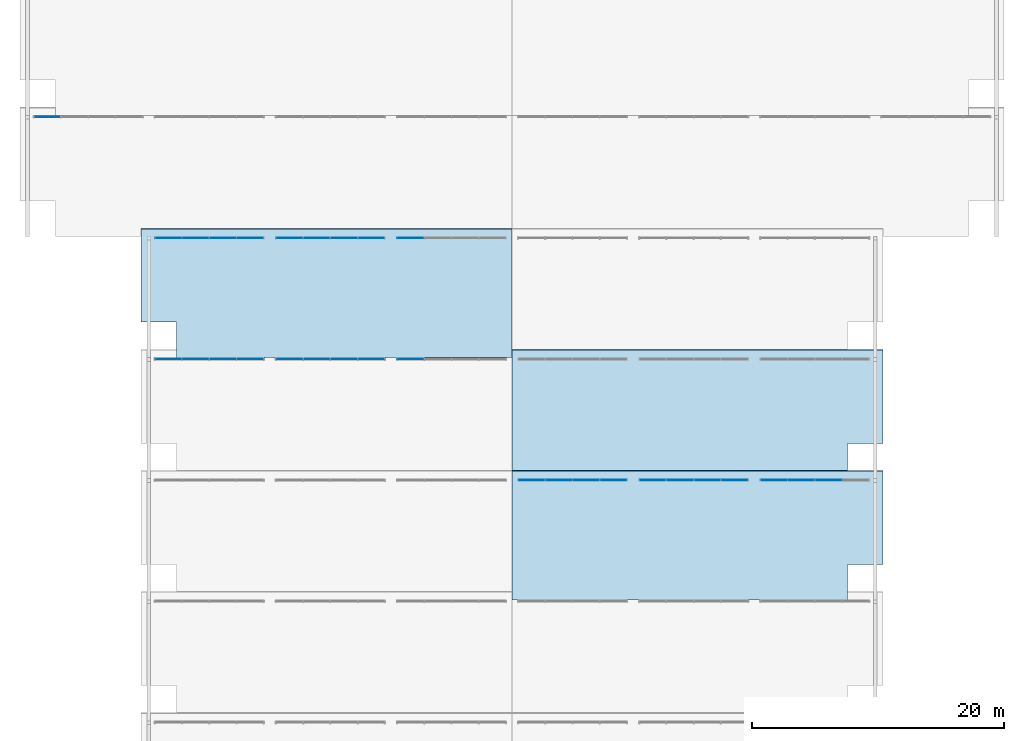
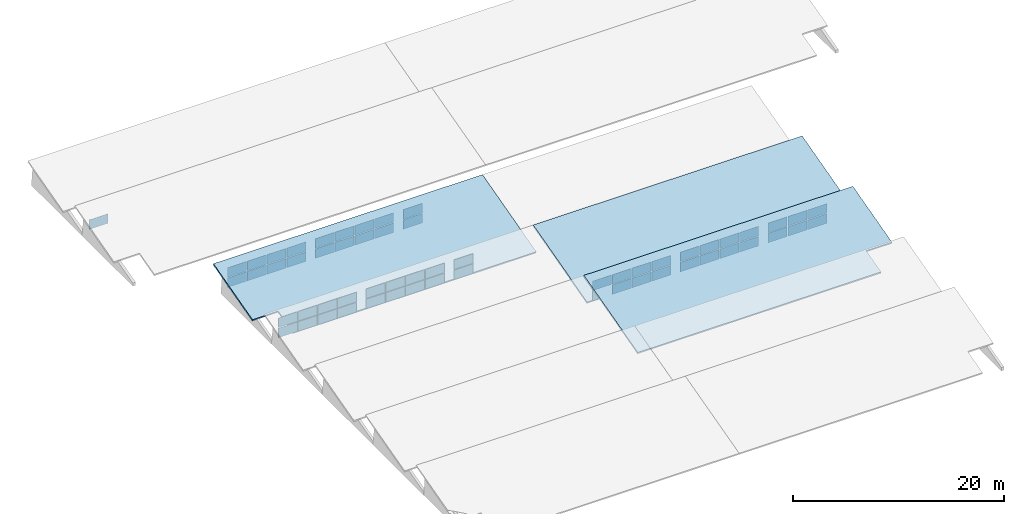
# One storey, part 12 of 18: 59 plates, 3 slabs, 10 elements without a shape of their own.
"""IFC4 building model written with IfcOpenShell, lengths in metres."""

from ifc_helpers import new_model, si_unit, direction, frame, origin, origin_2d, place, context, subcontext, project, spatial, polyline, rectangle, outline, extrude, material, layer, layer_set, type_object, element, aggregate, save


model = new_model("IFC4")

# Units and contexts
model_context = context("Model", 3, precision=1e-05, world=origin(), true_north=direction((0.0, 1.0)))
body_context = subcontext(model_context, "Body", "Model", "MODEL_VIEW")
ifc_project = project(units=[si_unit("LENGTHUNIT", "METRE"), si_unit("AREAUNIT", "SQUARE_METRE"), si_unit("VOLUMEUNIT", "CUBIC_METRE"), si_unit("PLANEANGLEUNIT", "RADIAN"), si_unit("MASSUNIT", "GRAM", prefix="KILO")], contexts=[model_context])

# Site, building, storey
site_placement = place(None, origin())
site = spatial("IfcSite", under=ifc_project, at=site_placement, CompositionType="ELEMENT")
building_placement = place(site_placement, origin())
building = spatial("IfcBuilding", under=site, at=building_placement, Name="Bempovik Park Faculty of Sciences", CompositionType="ELEMENT")
storey_placement = place(building_placement, frame((0.0, 0.0, 50.10009765625)))
storey = spatial("IfcBuildingStorey", under=building, at=storey_placement, Name="Roof", CompositionType="ELEMENT", Elevation=50.10009765625)

# Curtain wall, plates
ifc_material_1 = material(Name="Tempered laminated low-E glass", Category="glass")
ifc_layer_1 = layer(ifc_material_1, 0.159912109375)
ifc_layer_set_1 = layer_set([ifc_layer_1], Name="Tempered laminated low-E glass")
curtain_wall_type_1 = type_object("IfcCurtainWallType", Name="CW-53 Curtain 8000x2550", PredefinedType="USERDEFINED", material=ifc_layer_set_1)
curtain_wall_1_placement = place(storey_placement, origin())
curtain_wall_1 = element("IfcCurtainWall", 1, at=curtain_wall_1_placement, inside=storey, type_object=curtain_wall_type_1, Name="V1 Sawtooth North-Light Clerestory Bay 3 (88.8-98.4)", ObjectType="NORTH LIGHT CLERESTORY", PredefinedType="USERDEFINED")
ifc_layer_2 = layer(ifc_material_1, 0.031982421875)
ifc_layer_set_2 = layer_set([ifc_layer_2], Name="Tempered laminated low-E glass")
plate_type = type_object("IfcPlateType", Name="CP-23 Curtain Panel 32mm", PredefinedType="CURTAIN_PANEL", material=ifc_layer_set_2)
plate_1_placement = place(storey_placement, frame((90.360107421875, 48.47998046875, -30.16015625), z_axis=(0.0, 0.0, 1.0), x_axis=(1.0, 0.0, 0.0)))
plate_1 = element("IfcPlate", 2, at=plate_1_placement, type_object=plate_type, Name="CW-NL-V1-B3-888 Panel 0-0", PredefinedType="CURTAIN_PANEL", context=body_context, shape_type="SweptSolid", body=[
    extrude(rectangle(XDim=2.080078125, YDim=0.035888671875, at=origin_2d()), origin(), (0.0, 0.0, 1.0), 1.09619140625),
])
plate_2_placement = place(storey_placement, frame((90.360107421875, 48.47998046875, -28.98388671875), z_axis=(0.0, 0.0, 1.0), x_axis=(1.0, 0.0, 0.0)))
plate_2 = element("IfcPlate", 3, at=plate_2_placement, type_object=plate_type, Name="CW-NL-V1-B3-888 Panel 0-1", PredefinedType="CURTAIN_PANEL", context=body_context, shape_type="SweptSolid", body=[
    extrude(rectangle(XDim=2.080078125, YDim=0.035888671875, at=origin_2d()), origin(), (0.0, 0.0, 1.0), 1.09619140625),
])
plate_3_placement = place(storey_placement, frame((92.52001953125, 48.47998046875, -30.16015625), z_axis=(0.0, 0.0, 1.0), x_axis=(1.0, 0.0, 0.0)))
plate_3 = element("IfcPlate", 4, at=plate_3_placement, type_object=plate_type, Name="CW-NL-V1-B3-888 Panel 1-0", PredefinedType="CURTAIN_PANEL", context=body_context, shape_type="SweptSolid", body=[
    extrude(rectangle(XDim=2.080078125, YDim=0.035888671875, at=origin_2d()), origin(), (0.0, 0.0, 1.0), 1.09619140625),
])
plate_4_placement = place(storey_placement, frame((92.52001953125, 48.47998046875, -28.98388671875), z_axis=(0.0, 0.0, 1.0), x_axis=(1.0, 0.0, 0.0)))
plate_4 = element("IfcPlate", 5, at=plate_4_placement, type_object=plate_type, Name="CW-NL-V1-B3-888 Panel 1-1", PredefinedType="CURTAIN_PANEL", context=body_context, shape_type="SweptSolid", body=[
    extrude(rectangle(XDim=2.080078125, YDim=0.035888671875, at=origin_2d()), origin(), (0.0, 0.0, 1.0), 1.09619140625),
])
plate_5_placement = place(storey_placement, frame((94.679931640625, 48.47998046875, -30.16015625), z_axis=(0.0, 0.0, 1.0), x_axis=(1.0, 0.0, 0.0)))
plate_5 = element("IfcPlate", 6, at=plate_5_placement, type_object=plate_type, Name="CW-NL-V1-B3-888 Panel 2-0", PredefinedType="CURTAIN_PANEL", context=body_context, shape_type="SweptSolid", body=[
    extrude(rectangle(XDim=2.080078125, YDim=0.035888671875, at=origin_2d()), origin(), (0.0, 0.0, 1.0), 1.09619140625),
])
plate_6_placement = place(storey_placement, frame((94.679931640625, 48.47998046875, -28.98388671875), z_axis=(0.0, 0.0, 1.0), x_axis=(1.0, 0.0, 0.0)))
plate_6 = element("IfcPlate", 7, at=plate_6_placement, type_object=plate_type, Name="CW-NL-V1-B3-888 Panel 2-1", PredefinedType="CURTAIN_PANEL", context=body_context, shape_type="SweptSolid", body=[
    extrude(rectangle(XDim=2.080078125, YDim=0.035888671875, at=origin_2d()), origin(), (0.0, 0.0, 1.0), 1.09619140625),
])
plate_7_placement = place(storey_placement, frame((96.840087890625, 48.47998046875, -30.16015625), z_axis=(0.0, 0.0, 1.0), x_axis=(1.0, 0.0, 0.0)))
plate_7 = element("IfcPlate", 8, at=plate_7_placement, type_object=plate_type, Name="CW-NL-V1-B3-888 Panel 3-0", PredefinedType="CURTAIN_PANEL", context=body_context, shape_type="SweptSolid", body=[
    extrude(rectangle(XDim=2.080078125, YDim=0.035888671875, at=origin_2d()), origin(), (0.0, 0.0, 1.0), 1.09619140625),
])
plate_8_placement = place(storey_placement, frame((96.840087890625, 48.47998046875, -28.98388671875), z_axis=(0.0, 0.0, 1.0), x_axis=(1.0, 0.0, 0.0)))
plate_8 = element("IfcPlate", 9, at=plate_8_placement, type_object=plate_type, Name="CW-NL-V1-B3-888 Panel 3-1", PredefinedType="CURTAIN_PANEL", context=body_context, shape_type="SweptSolid", body=[
    extrude(rectangle(XDim=2.080078125, YDim=0.035888671875, at=origin_2d()), origin(), (0.0, 0.0, 1.0), 1.09619140625),
])
aggregate(curtain_wall_1, [plate_1, plate_2, plate_3, plate_4, plate_5, plate_6, plate_7, plate_8])

curtain_wall_2_placement = place(storey_placement, origin())
curtain_wall_2 = element("IfcCurtainWall", 10, at=curtain_wall_2_placement, inside=storey, type_object=curtain_wall_type_1, Name="V1 Sawtooth North-Light Clerestory Bay 3 (98.4-108.0)", ObjectType="NORTH LIGHT CLERESTORY", PredefinedType="USERDEFINED")
plate_9_placement = place(storey_placement, frame((99.9599609375, 48.47998046875, -30.16015625), z_axis=(0.0, 0.0, 1.0), x_axis=(1.0, 0.0, 0.0)))
plate_9 = element("IfcPlate", 11, at=plate_9_placement, type_object=plate_type, Name="CW-NL-V1-B3-984 Panel 0-0", PredefinedType="CURTAIN_PANEL", context=body_context, shape_type="SweptSolid", body=[
    extrude(rectangle(XDim=2.080078125, YDim=0.035888671875, at=origin_2d()), origin(), (0.0, 0.0, 1.0), 1.09619140625),
])
plate_10_placement = place(storey_placement, frame((99.9599609375, 48.47998046875, -28.98388671875), z_axis=(0.0, 0.0, 1.0), x_axis=(1.0, 0.0, 0.0)))
plate_10 = element("IfcPlate", 12, at=plate_10_placement, type_object=plate_type, Name="CW-NL-V1-B3-984 Panel 0-1", PredefinedType="CURTAIN_PANEL", context=body_context, shape_type="SweptSolid", body=[
    extrude(rectangle(XDim=2.080078125, YDim=0.035888671875, at=origin_2d()), origin(), (0.0, 0.0, 1.0), 1.09619140625),
])
plate_11_placement = place(storey_placement, frame((102.1201171875, 48.47998046875, -30.16015625), z_axis=(0.0, 0.0, 1.0), x_axis=(1.0, 0.0, 0.0)))
plate_11 = element("IfcPlate", 13, at=plate_11_placement, type_object=plate_type, Name="CW-NL-V1-B3-984 Panel 1-0", PredefinedType="CURTAIN_PANEL", context=body_context, shape_type="SweptSolid", body=[
    extrude(rectangle(XDim=2.080078125, YDim=0.035888671875, at=origin_2d()), origin(), (0.0, 0.0, 1.0), 1.09619140625),
])
plate_12_placement = place(storey_placement, frame((102.1201171875, 48.47998046875, -28.98388671875), z_axis=(0.0, 0.0, 1.0), x_axis=(1.0, 0.0, 0.0)))
plate_12 = element("IfcPlate", 14, at=plate_12_placement, type_object=plate_type, Name="CW-NL-V1-B3-984 Panel 1-1", PredefinedType="CURTAIN_PANEL", context=body_context, shape_type="SweptSolid", body=[
    extrude(rectangle(XDim=2.080078125, YDim=0.035888671875, at=origin_2d()), origin(), (0.0, 0.0, 1.0), 1.09619140625),
])
plate_13_placement = place(storey_placement, frame((104.280029296875, 48.47998046875, -30.16015625), z_axis=(0.0, 0.0, 1.0), x_axis=(1.0, 0.0, 0.0)))
plate_13 = element("IfcPlate", 15, at=plate_13_placement, type_object=plate_type, Name="CW-NL-V1-B3-984 Panel 2-0", PredefinedType="CURTAIN_PANEL", context=body_context, shape_type="SweptSolid", body=[
    extrude(rectangle(XDim=2.080078125, YDim=0.035888671875, at=origin_2d()), origin(), (0.0, 0.0, 1.0), 1.09619140625),
])
plate_14_placement = place(storey_placement, frame((104.280029296875, 48.47998046875, -28.98388671875), z_axis=(0.0, 0.0, 1.0), x_axis=(1.0, 0.0, 0.0)))
plate_14 = element("IfcPlate", 16, at=plate_14_placement, type_object=plate_type, Name="CW-NL-V1-B3-984 Panel 2-1", PredefinedType="CURTAIN_PANEL", context=body_context, shape_type="SweptSolid", body=[
    extrude(rectangle(XDim=2.080078125, YDim=0.035888671875, at=origin_2d()), origin(), (0.0, 0.0, 1.0), 1.09619140625),
])
plate_15_placement = place(storey_placement, frame((106.43994140625, 48.47998046875, -30.16015625), z_axis=(0.0, 0.0, 1.0), x_axis=(1.0, 0.0, 0.0)))
plate_15 = element("IfcPlate", 17, at=plate_15_placement, type_object=plate_type, Name="CW-NL-V1-B3-984 Panel 3-0", PredefinedType="CURTAIN_PANEL", context=body_context, shape_type="SweptSolid", body=[
    extrude(rectangle(XDim=2.080078125, YDim=0.035888671875, at=origin_2d()), origin(), (0.0, 0.0, 1.0), 1.09619140625),
])
plate_16_placement = place(storey_placement, frame((106.43994140625, 48.47998046875, -28.98388671875), z_axis=(0.0, 0.0, 1.0), x_axis=(1.0, 0.0, 0.0)))
plate_16 = element("IfcPlate", 18, at=plate_16_placement, type_object=plate_type, Name="CW-NL-V1-B3-984 Panel 3-1", PredefinedType="CURTAIN_PANEL", context=body_context, shape_type="SweptSolid", body=[
    extrude(rectangle(XDim=2.080078125, YDim=0.035888671875, at=origin_2d()), origin(), (0.0, 0.0, 1.0), 1.09619140625),
])
aggregate(curtain_wall_2, [plate_9, plate_10, plate_11, plate_12, plate_13, plate_14, plate_15, plate_16])

ifc_layer_3 = layer(ifc_material_1, 0.159912109375)
ifc_layer_set_3 = layer_set([ifc_layer_3], Name="Tempered laminated low-E glass")
curtain_wall_type_2 = type_object("IfcCurtainWallType", Name="CW-17 Curtain 7200x2550", PredefinedType="USERDEFINED", material=ifc_layer_set_3)
curtain_wall_3_placement = place(storey_placement, origin())
curtain_wall_3 = element("IfcCurtainWall", 19, at=curtain_wall_3_placement, inside=storey, type_object=curtain_wall_type_2, Name="V1 Sawtooth North-Light Clerestory Bay 3 (108.0-117.6)", ObjectType="NORTH LIGHT CLERESTORY", PredefinedType="USERDEFINED")
plate_17_placement = place(storey_placement, frame((109.56005859375, 48.47998046875, -30.16015625), z_axis=(0.0, 0.0, 1.0), x_axis=(1.0, 0.0, 0.0)))
plate_17 = element("IfcPlate", 20, at=plate_17_placement, type_object=plate_type, Name="CW-NL-V1-B3-1080 Panel 0-0", PredefinedType="CURTAIN_PANEL", context=body_context, shape_type="SweptSolid", body=[
    extrude(rectangle(XDim=2.080078125, YDim=0.035888671875, at=origin_2d()), origin(), (0.0, 0.0, 1.0), 1.09619140625),
])
plate_18_placement = place(storey_placement, frame((109.56005859375, 48.47998046875, -28.98388671875), z_axis=(0.0, 0.0, 1.0), x_axis=(1.0, 0.0, 0.0)))
plate_18 = element("IfcPlate", 21, at=plate_18_placement, type_object=plate_type, Name="CW-NL-V1-B3-1080 Panel 0-1", PredefinedType="CURTAIN_PANEL", context=body_context, shape_type="SweptSolid", body=[
    extrude(rectangle(XDim=2.080078125, YDim=0.035888671875, at=origin_2d()), origin(), (0.0, 0.0, 1.0), 1.09619140625),
])
plate_19_placement = place(storey_placement, frame((111.719970703125, 48.47998046875, -30.16015625), z_axis=(0.0, 0.0, 1.0), x_axis=(1.0, 0.0, 0.0)))
plate_19 = element("IfcPlate", 22, at=plate_19_placement, type_object=plate_type, Name="CW-NL-V1-B3-1080 Panel 1-0", PredefinedType="CURTAIN_PANEL", context=body_context, shape_type="SweptSolid", body=[
    extrude(rectangle(XDim=2.080078125, YDim=0.035888671875, at=origin_2d()), origin(), (0.0, 0.0, 1.0), 1.09619140625),
])
plate_20_placement = place(storey_placement, frame((111.719970703125, 48.47998046875, -28.98388671875), z_axis=(0.0, 0.0, 1.0), x_axis=(1.0, 0.0, 0.0)))
plate_20 = element("IfcPlate", 23, at=plate_20_placement, type_object=plate_type, Name="CW-NL-V1-B3-1080 Panel 1-1", PredefinedType="CURTAIN_PANEL", context=body_context, shape_type="SweptSolid", body=[
    extrude(rectangle(XDim=2.080078125, YDim=0.035888671875, at=origin_2d()), origin(), (0.0, 0.0, 1.0), 1.09619140625),
])
plate_21_placement = place(storey_placement, frame((113.8798828125, 48.47998046875, -30.16015625), z_axis=(0.0, 0.0, 1.0), x_axis=(1.0, 0.0, 0.0)))
plate_21 = element("IfcPlate", 24, at=plate_21_placement, type_object=plate_type, Name="CW-NL-V1-B3-1080 Panel 2-0", PredefinedType="CURTAIN_PANEL", context=body_context, shape_type="SweptSolid", body=[
    extrude(rectangle(XDim=2.080078125, YDim=0.035888671875, at=origin_2d()), origin(), (0.0, 0.0, 1.0), 1.09619140625),
])
plate_22_placement = place(storey_placement, frame((113.8798828125, 48.47998046875, -28.98388671875), z_axis=(0.0, 0.0, 1.0), x_axis=(1.0, 0.0, 0.0)))
plate_22 = element("IfcPlate", 25, at=plate_22_placement, type_object=plate_type, Name="CW-NL-V1-B3-1080 Panel 2-1", PredefinedType="CURTAIN_PANEL", context=body_context, shape_type="SweptSolid", body=[
    extrude(rectangle(XDim=2.080078125, YDim=0.035888671875, at=origin_2d()), origin(), (0.0, 0.0, 1.0), 1.09619140625),
])
aggregate(curtain_wall_3, [plate_17, plate_18, plate_19, plate_20, plate_21, plate_22])

curtain_wall_4_placement = place(storey_placement, origin())
curtain_wall_4 = element("IfcCurtainWall", 26, at=curtain_wall_4_placement, inside=storey, type_object=curtain_wall_type_2, Name="V1 Sawtooth North-Light Clerestory Bay 4 (60.0-69.6)", ObjectType="NORTH LIGHT CLERESTORY", PredefinedType="USERDEFINED")
plate_23_placement = place(storey_placement, frame((61.56005859375, 58.080078125, -30.16015625), z_axis=(0.0, 0.0, 1.0), x_axis=(1.0, 0.0, 0.0)))
plate_23 = element("IfcPlate", 27, at=plate_23_placement, type_object=plate_type, Name="CW-NL-V1-B4-600 Panel 0-0", PredefinedType="CURTAIN_PANEL", context=body_context, shape_type="SweptSolid", body=[
    extrude(rectangle(XDim=2.080078125, YDim=0.035888671875, at=origin_2d()), origin(), (0.0, 0.0, 1.0), 1.09619140625),
])
plate_24_placement = place(storey_placement, frame((61.56005859375, 58.080078125, -28.98388671875), z_axis=(0.0, 0.0, 1.0), x_axis=(1.0, 0.0, 0.0)))
plate_24 = element("IfcPlate", 28, at=plate_24_placement, type_object=plate_type, Name="CW-NL-V1-B4-600 Panel 0-1", PredefinedType="CURTAIN_PANEL", context=body_context, shape_type="SweptSolid", body=[
    extrude(rectangle(XDim=2.080078125, YDim=0.035888671875, at=origin_2d()), origin(), (0.0, 0.0, 1.0), 1.09619140625),
])
plate_25_placement = place(storey_placement, frame((63.719970703125, 58.080078125, -30.16015625), z_axis=(0.0, 0.0, 1.0), x_axis=(1.0, 0.0, 0.0)))
plate_25 = element("IfcPlate", 29, at=plate_25_placement, type_object=plate_type, Name="CW-NL-V1-B4-600 Panel 1-0", PredefinedType="CURTAIN_PANEL", context=body_context, shape_type="SweptSolid", body=[
    extrude(rectangle(XDim=2.080078125, YDim=0.035888671875, at=origin_2d()), origin(), (0.0, 0.0, 1.0), 1.09619140625),
])
plate_26_placement = place(storey_placement, frame((63.719970703125, 58.080078125, -28.98388671875), z_axis=(0.0, 0.0, 1.0), x_axis=(1.0, 0.0, 0.0)))
plate_26 = element("IfcPlate", 30, at=plate_26_placement, type_object=plate_type, Name="CW-NL-V1-B4-600 Panel 1-1", PredefinedType="CURTAIN_PANEL", context=body_context, shape_type="SweptSolid", body=[
    extrude(rectangle(XDim=2.080078125, YDim=0.035888671875, at=origin_2d()), origin(), (0.0, 0.0, 1.0), 1.09619140625),
])
plate_27_placement = place(storey_placement, frame((65.8798828125, 58.080078125, -30.16015625), z_axis=(0.0, 0.0, 1.0), x_axis=(1.0, 0.0, 0.0)))
plate_27 = element("IfcPlate", 31, at=plate_27_placement, type_object=plate_type, Name="CW-NL-V1-B4-600 Panel 2-0", PredefinedType="CURTAIN_PANEL", context=body_context, shape_type="SweptSolid", body=[
    extrude(rectangle(XDim=2.080078125, YDim=0.035888671875, at=origin_2d()), origin(), (0.0, 0.0, 1.0), 1.09619140625),
])
plate_28_placement = place(storey_placement, frame((65.8798828125, 58.080078125, -28.98388671875), z_axis=(0.0, 0.0, 1.0), x_axis=(1.0, 0.0, 0.0)))
plate_28 = element("IfcPlate", 32, at=plate_28_placement, type_object=plate_type, Name="CW-NL-V1-B4-600 Panel 2-1", PredefinedType="CURTAIN_PANEL", context=body_context, shape_type="SweptSolid", body=[
    extrude(rectangle(XDim=2.080078125, YDim=0.035888671875, at=origin_2d()), origin(), (0.0, 0.0, 1.0), 1.09619140625),
])
plate_29_placement = place(storey_placement, frame((68.0400390625, 58.080078125, -30.16015625), z_axis=(0.0, 0.0, 1.0), x_axis=(1.0, 0.0, 0.0)))
plate_29 = element("IfcPlate", 33, at=plate_29_placement, type_object=plate_type, Name="CW-NL-V1-B4-600 Panel 3-0", PredefinedType="CURTAIN_PANEL", context=body_context, shape_type="SweptSolid", body=[
    extrude(rectangle(XDim=2.080078125, YDim=0.035888671875, at=origin_2d()), origin(), (0.0, 0.0, 1.0), 1.09619140625),
])
plate_30_placement = place(storey_placement, frame((68.0400390625, 58.080078125, -28.98388671875), z_axis=(0.0, 0.0, 1.0), x_axis=(1.0, 0.0, 0.0)))
plate_30 = element("IfcPlate", 34, at=plate_30_placement, type_object=plate_type, Name="CW-NL-V1-B4-600 Panel 3-1", PredefinedType="CURTAIN_PANEL", context=body_context, shape_type="SweptSolid", body=[
    extrude(rectangle(XDim=2.080078125, YDim=0.035888671875, at=origin_2d()), origin(), (0.0, 0.0, 1.0), 1.09619140625),
])
aggregate(curtain_wall_4, [plate_23, plate_24, plate_25, plate_26, plate_27, plate_28, plate_29, plate_30])

curtain_wall_5_placement = place(storey_placement, origin())
curtain_wall_5 = element("IfcCurtainWall", 35, at=curtain_wall_5_placement, inside=storey, type_object=curtain_wall_type_1, Name="V1 Sawtooth North-Light Clerestory Bay 4 (69.6-79.2)", ObjectType="NORTH LIGHT CLERESTORY", PredefinedType="USERDEFINED")
plate_31_placement = place(storey_placement, frame((71.159912109375, 58.080078125, -30.16015625), z_axis=(0.0, 0.0, 1.0), x_axis=(1.0, 0.0, 0.0)))
plate_31 = element("IfcPlate", 36, at=plate_31_placement, type_object=plate_type, Name="CW-NL-V1-B4-696 Panel 0-0", PredefinedType="CURTAIN_PANEL", context=body_context, shape_type="SweptSolid", body=[
    extrude(rectangle(XDim=2.080078125, YDim=0.035888671875, at=origin_2d()), origin(), (0.0, 0.0, 1.0), 1.09619140625),
])
plate_32_placement = place(storey_placement, frame((71.159912109375, 58.080078125, -28.98388671875), z_axis=(0.0, 0.0, 1.0), x_axis=(1.0, 0.0, 0.0)))
plate_32 = element("IfcPlate", 37, at=plate_32_placement, type_object=plate_type, Name="CW-NL-V1-B4-696 Panel 0-1", PredefinedType="CURTAIN_PANEL", context=body_context, shape_type="SweptSolid", body=[
    extrude(rectangle(XDim=2.080078125, YDim=0.035888671875, at=origin_2d()), origin(), (0.0, 0.0, 1.0), 1.09619140625),
])
plate_33_placement = place(storey_placement, frame((73.320068359375, 58.080078125, -30.16015625), z_axis=(0.0, 0.0, 1.0), x_axis=(1.0, 0.0, 0.0)))
plate_33 = element("IfcPlate", 38, at=plate_33_placement, type_object=plate_type, Name="CW-NL-V1-B4-696 Panel 1-0", PredefinedType="CURTAIN_PANEL", context=body_context, shape_type="SweptSolid", body=[
    extrude(rectangle(XDim=2.080078125, YDim=0.035888671875, at=origin_2d()), origin(), (0.0, 0.0, 1.0), 1.09619140625),
])
plate_34_placement = place(storey_placement, frame((73.320068359375, 58.080078125, -28.98388671875), z_axis=(0.0, 0.0, 1.0), x_axis=(1.0, 0.0, 0.0)))
plate_34 = element("IfcPlate", 39, at=plate_34_placement, type_object=plate_type, Name="CW-NL-V1-B4-696 Panel 1-1", PredefinedType="CURTAIN_PANEL", context=body_context, shape_type="SweptSolid", body=[
    extrude(rectangle(XDim=2.080078125, YDim=0.035888671875, at=origin_2d()), origin(), (0.0, 0.0, 1.0), 1.09619140625),
])
plate_35_placement = place(storey_placement, frame((75.47998046875, 58.080078125, -30.16015625), z_axis=(0.0, 0.0, 1.0), x_axis=(1.0, 0.0, 0.0)))
plate_35 = element("IfcPlate", 40, at=plate_35_placement, type_object=plate_type, Name="CW-NL-V1-B4-696 Panel 2-0", PredefinedType="CURTAIN_PANEL", context=body_context, shape_type="SweptSolid", body=[
    extrude(rectangle(XDim=2.080078125, YDim=0.035888671875, at=origin_2d()), origin(), (0.0, 0.0, 1.0), 1.09619140625),
])
plate_36_placement = place(storey_placement, frame((75.47998046875, 58.080078125, -28.98388671875), z_axis=(0.0, 0.0, 1.0), x_axis=(1.0, 0.0, 0.0)))
plate_36 = element("IfcPlate", 41, at=plate_36_placement, type_object=plate_type, Name="CW-NL-V1-B4-696 Panel 2-1", PredefinedType="CURTAIN_PANEL", context=body_context, shape_type="SweptSolid", body=[
    extrude(rectangle(XDim=2.080078125, YDim=0.035888671875, at=origin_2d()), origin(), (0.0, 0.0, 1.0), 1.09619140625),
])
plate_37_placement = place(storey_placement, frame((77.639892578125, 58.080078125, -30.16015625), z_axis=(0.0, 0.0, 1.0), x_axis=(1.0, 0.0, 0.0)))
plate_37 = element("IfcPlate", 42, at=plate_37_placement, type_object=plate_type, Name="CW-NL-V1-B4-696 Panel 3-0", PredefinedType="CURTAIN_PANEL", context=body_context, shape_type="SweptSolid", body=[
    extrude(rectangle(XDim=2.080078125, YDim=0.035888671875, at=origin_2d()), origin(), (0.0, 0.0, 1.0), 1.09619140625),
])
plate_38_placement = place(storey_placement, frame((77.639892578125, 58.080078125, -28.98388671875), z_axis=(0.0, 0.0, 1.0), x_axis=(1.0, 0.0, 0.0)))
plate_38 = element("IfcPlate", 43, at=plate_38_placement, type_object=plate_type, Name="CW-NL-V1-B4-696 Panel 3-1", PredefinedType="CURTAIN_PANEL", context=body_context, shape_type="SweptSolid", body=[
    extrude(rectangle(XDim=2.080078125, YDim=0.035888671875, at=origin_2d()), origin(), (0.0, 0.0, 1.0), 1.09619140625),
])
aggregate(curtain_wall_5, [plate_31, plate_32, plate_33, plate_34, plate_35, plate_36, plate_37, plate_38])

curtain_wall_6_placement = place(storey_placement, origin())
curtain_wall_6 = element("IfcCurtainWall", 44, at=curtain_wall_6_placement, inside=storey, type_object=curtain_wall_type_1, Name="V1 Sawtooth North-Light Clerestory Bay 4 (79.2-88.8)", ObjectType="NORTH LIGHT CLERESTORY", PredefinedType="USERDEFINED")
plate_39_placement = place(storey_placement, frame((80.760009765625, 58.080078125, -30.16015625), z_axis=(0.0, 0.0, 1.0), x_axis=(1.0, 0.0, 0.0)))
plate_39 = element("IfcPlate", 45, at=plate_39_placement, type_object=plate_type, Name="CW-NL-V1-B4-792 Panel 0-0", PredefinedType="CURTAIN_PANEL", context=body_context, shape_type="SweptSolid", body=[
    extrude(rectangle(XDim=2.080078125, YDim=0.035888671875, at=origin_2d()), origin(), (0.0, 0.0, 1.0), 1.09619140625),
])
plate_40_placement = place(storey_placement, frame((80.760009765625, 58.080078125, -28.98388671875), z_axis=(0.0, 0.0, 1.0), x_axis=(1.0, 0.0, 0.0)))
plate_40 = element("IfcPlate", 46, at=plate_40_placement, type_object=plate_type, Name="CW-NL-V1-B4-792 Panel 0-1", PredefinedType="CURTAIN_PANEL", context=body_context, shape_type="SweptSolid", body=[
    extrude(rectangle(XDim=2.080078125, YDim=0.035888671875, at=origin_2d()), origin(), (0.0, 0.0, 1.0), 1.09619140625),
])
aggregate(curtain_wall_6, [plate_39, plate_40])

curtain_wall_7_placement = place(storey_placement, origin())
curtain_wall_7 = element("IfcCurtainWall", 47, at=curtain_wall_7_placement, inside=storey, type_object=curtain_wall_type_2, Name="V1 Sawtooth North-Light Clerestory Bay 5 (60.0-69.6)", ObjectType="NORTH LIGHT CLERESTORY", PredefinedType="USERDEFINED")
plate_41_placement = place(storey_placement, frame((61.56005859375, 67.679931640625, -30.16015625), z_axis=(0.0, 0.0, 1.0), x_axis=(1.0, 0.0, 0.0)))
plate_41 = element("IfcPlate", 48, at=plate_41_placement, type_object=plate_type, Name="CW-NL-V1-B5-600 Panel 0-0", PredefinedType="CURTAIN_PANEL", context=body_context, shape_type="SweptSolid", body=[
    extrude(rectangle(XDim=2.080078125, YDim=0.035888671875, at=origin_2d()), origin(), (0.0, 0.0, 1.0), 1.09619140625),
])
plate_42_placement = place(storey_placement, frame((61.56005859375, 67.679931640625, -28.98388671875), z_axis=(0.0, 0.0, 1.0), x_axis=(1.0, 0.0, 0.0)))
plate_42 = element("IfcPlate", 49, at=plate_42_placement, type_object=plate_type, Name="CW-NL-V1-B5-600 Panel 0-1", PredefinedType="CURTAIN_PANEL", context=body_context, shape_type="SweptSolid", body=[
    extrude(rectangle(XDim=2.080078125, YDim=0.035888671875, at=origin_2d()), origin(), (0.0, 0.0, 1.0), 1.09619140625),
])
plate_43_placement = place(storey_placement, frame((63.719970703125, 67.679931640625, -30.16015625), z_axis=(0.0, 0.0, 1.0), x_axis=(1.0, 0.0, 0.0)))
plate_43 = element("IfcPlate", 50, at=plate_43_placement, type_object=plate_type, Name="CW-NL-V1-B5-600 Panel 1-0", PredefinedType="CURTAIN_PANEL", context=body_context, shape_type="SweptSolid", body=[
    extrude(rectangle(XDim=2.080078125, YDim=0.035888671875, at=origin_2d()), origin(), (0.0, 0.0, 1.0), 1.09619140625),
])
plate_44_placement = place(storey_placement, frame((63.719970703125, 67.679931640625, -28.98388671875), z_axis=(0.0, 0.0, 1.0), x_axis=(1.0, 0.0, 0.0)))
plate_44 = element("IfcPlate", 51, at=plate_44_placement, type_object=plate_type, Name="CW-NL-V1-B5-600 Panel 1-1", PredefinedType="CURTAIN_PANEL", context=body_context, shape_type="SweptSolid", body=[
    extrude(rectangle(XDim=2.080078125, YDim=0.035888671875, at=origin_2d()), origin(), (0.0, 0.0, 1.0), 1.09619140625),
])
plate_45_placement = place(storey_placement, frame((65.8798828125, 67.679931640625, -30.16015625), z_axis=(0.0, 0.0, 1.0), x_axis=(1.0, 0.0, 0.0)))
plate_45 = element("IfcPlate", 52, at=plate_45_placement, type_object=plate_type, Name="CW-NL-V1-B5-600 Panel 2-0", PredefinedType="CURTAIN_PANEL", context=body_context, shape_type="SweptSolid", body=[
    extrude(rectangle(XDim=2.080078125, YDim=0.035888671875, at=origin_2d()), origin(), (0.0, 0.0, 1.0), 1.09619140625),
])
plate_46_placement = place(storey_placement, frame((65.8798828125, 67.679931640625, -28.98388671875), z_axis=(0.0, 0.0, 1.0), x_axis=(1.0, 0.0, 0.0)))
plate_46 = element("IfcPlate", 53, at=plate_46_placement, type_object=plate_type, Name="CW-NL-V1-B5-600 Panel 2-1", PredefinedType="CURTAIN_PANEL", context=body_context, shape_type="SweptSolid", body=[
    extrude(rectangle(XDim=2.080078125, YDim=0.035888671875, at=origin_2d()), origin(), (0.0, 0.0, 1.0), 1.09619140625),
])
plate_47_placement = place(storey_placement, frame((68.0400390625, 67.679931640625, -30.16015625), z_axis=(0.0, 0.0, 1.0), x_axis=(1.0, 0.0, 0.0)))
plate_47 = element("IfcPlate", 54, at=plate_47_placement, type_object=plate_type, Name="CW-NL-V1-B5-600 Panel 3-0", PredefinedType="CURTAIN_PANEL", context=body_context, shape_type="SweptSolid", body=[
    extrude(rectangle(XDim=2.080078125, YDim=0.035888671875, at=origin_2d()), origin(), (0.0, 0.0, 1.0), 1.09619140625),
])
plate_48_placement = place(storey_placement, frame((68.0400390625, 67.679931640625, -28.98388671875), z_axis=(0.0, 0.0, 1.0), x_axis=(1.0, 0.0, 0.0)))
plate_48 = element("IfcPlate", 55, at=plate_48_placement, type_object=plate_type, Name="CW-NL-V1-B5-600 Panel 3-1", PredefinedType="CURTAIN_PANEL", context=body_context, shape_type="SweptSolid", body=[
    extrude(rectangle(XDim=2.080078125, YDim=0.035888671875, at=origin_2d()), origin(), (0.0, 0.0, 1.0), 1.09619140625),
])
aggregate(curtain_wall_7, [plate_41, plate_42, plate_43, plate_44, plate_45, plate_46, plate_47, plate_48])

curtain_wall_8_placement = place(storey_placement, origin())
curtain_wall_8 = element("IfcCurtainWall", 56, at=curtain_wall_8_placement, inside=storey, type_object=curtain_wall_type_1, Name="V1 Sawtooth North-Light Clerestory Bay 5 (69.6-79.2)", ObjectType="NORTH LIGHT CLERESTORY", PredefinedType="USERDEFINED")
plate_49_placement = place(storey_placement, frame((71.159912109375, 67.679931640625, -30.16015625), z_axis=(0.0, 0.0, 1.0), x_axis=(1.0, 0.0, 0.0)))
plate_49 = element("IfcPlate", 57, at=plate_49_placement, type_object=plate_type, Name="CW-NL-V1-B5-696 Panel 0-0", PredefinedType="CURTAIN_PANEL", context=body_context, shape_type="SweptSolid", body=[
    extrude(rectangle(XDim=2.080078125, YDim=0.035888671875, at=origin_2d()), origin(), (0.0, 0.0, 1.0), 1.09619140625),
])
plate_50_placement = place(storey_placement, frame((71.159912109375, 67.679931640625, -28.98388671875), z_axis=(0.0, 0.0, 1.0), x_axis=(1.0, 0.0, 0.0)))
plate_50 = element("IfcPlate", 58, at=plate_50_placement, type_object=plate_type, Name="CW-NL-V1-B5-696 Panel 0-1", PredefinedType="CURTAIN_PANEL", context=body_context, shape_type="SweptSolid", body=[
    extrude(rectangle(XDim=2.080078125, YDim=0.035888671875, at=origin_2d()), origin(), (0.0, 0.0, 1.0), 1.09619140625),
])
plate_51_placement = place(storey_placement, frame((73.320068359375, 67.679931640625, -30.16015625), z_axis=(0.0, 0.0, 1.0), x_axis=(1.0, 0.0, 0.0)))
plate_51 = element("IfcPlate", 59, at=plate_51_placement, type_object=plate_type, Name="CW-NL-V1-B5-696 Panel 1-0", PredefinedType="CURTAIN_PANEL", context=body_context, shape_type="SweptSolid", body=[
    extrude(rectangle(XDim=2.080078125, YDim=0.035888671875, at=origin_2d()), origin(), (0.0, 0.0, 1.0), 1.09619140625),
])
plate_52_placement = place(storey_placement, frame((73.320068359375, 67.679931640625, -28.98388671875), z_axis=(0.0, 0.0, 1.0), x_axis=(1.0, 0.0, 0.0)))
plate_52 = element("IfcPlate", 60, at=plate_52_placement, type_object=plate_type, Name="CW-NL-V1-B5-696 Panel 1-1", PredefinedType="CURTAIN_PANEL", context=body_context, shape_type="SweptSolid", body=[
    extrude(rectangle(XDim=2.080078125, YDim=0.035888671875, at=origin_2d()), origin(), (0.0, 0.0, 1.0), 1.09619140625),
])
plate_53_placement = place(storey_placement, frame((75.47998046875, 67.679931640625, -30.16015625), z_axis=(0.0, 0.0, 1.0), x_axis=(1.0, 0.0, 0.0)))
plate_53 = element("IfcPlate", 61, at=plate_53_placement, type_object=plate_type, Name="CW-NL-V1-B5-696 Panel 2-0", PredefinedType="CURTAIN_PANEL", context=body_context, shape_type="SweptSolid", body=[
    extrude(rectangle(XDim=2.080078125, YDim=0.035888671875, at=origin_2d()), origin(), (0.0, 0.0, 1.0), 1.09619140625),
])
plate_54_placement = place(storey_placement, frame((75.47998046875, 67.679931640625, -28.98388671875), z_axis=(0.0, 0.0, 1.0), x_axis=(1.0, 0.0, 0.0)))
plate_54 = element("IfcPlate", 62, at=plate_54_placement, type_object=plate_type, Name="CW-NL-V1-B5-696 Panel 2-1", PredefinedType="CURTAIN_PANEL", context=body_context, shape_type="SweptSolid", body=[
    extrude(rectangle(XDim=2.080078125, YDim=0.035888671875, at=origin_2d()), origin(), (0.0, 0.0, 1.0), 1.09619140625),
])
plate_55_placement = place(storey_placement, frame((77.639892578125, 67.679931640625, -30.16015625), z_axis=(0.0, 0.0, 1.0), x_axis=(1.0, 0.0, 0.0)))
plate_55 = element("IfcPlate", 63, at=plate_55_placement, type_object=plate_type, Name="CW-NL-V1-B5-696 Panel 3-0", PredefinedType="CURTAIN_PANEL", context=body_context, shape_type="SweptSolid", body=[
    extrude(rectangle(XDim=2.080078125, YDim=0.035888671875, at=origin_2d()), origin(), (0.0, 0.0, 1.0), 1.09619140625),
])
plate_56_placement = place(storey_placement, frame((77.639892578125, 67.679931640625, -28.98388671875), z_axis=(0.0, 0.0, 1.0), x_axis=(1.0, 0.0, 0.0)))
plate_56 = element("IfcPlate", 64, at=plate_56_placement, type_object=plate_type, Name="CW-NL-V1-B5-696 Panel 3-1", PredefinedType="CURTAIN_PANEL", context=body_context, shape_type="SweptSolid", body=[
    extrude(rectangle(XDim=2.080078125, YDim=0.035888671875, at=origin_2d()), origin(), (0.0, 0.0, 1.0), 1.09619140625),
])
aggregate(curtain_wall_8, [plate_49, plate_50, plate_51, plate_52, plate_53, plate_54, plate_55, plate_56])

curtain_wall_9_placement = place(storey_placement, origin())
curtain_wall_9 = element("IfcCurtainWall", 65, at=curtain_wall_9_placement, inside=storey, type_object=curtain_wall_type_1, Name="V1 Sawtooth North-Light Clerestory Bay 5 (79.2-88.8)", ObjectType="NORTH LIGHT CLERESTORY", PredefinedType="USERDEFINED")
plate_57_placement = place(storey_placement, frame((80.760009765625, 67.679931640625, -30.16015625), z_axis=(0.0, 0.0, 1.0), x_axis=(1.0, 0.0, 0.0)))
plate_57 = element("IfcPlate", 66, at=plate_57_placement, type_object=plate_type, Name="CW-NL-V1-B5-792 Panel 0-0", PredefinedType="CURTAIN_PANEL", context=body_context, shape_type="SweptSolid", body=[
    extrude(rectangle(XDim=2.080078125, YDim=0.035888671875, at=origin_2d()), origin(), (0.0, 0.0, 1.0), 1.09619140625),
])
plate_58_placement = place(storey_placement, frame((80.760009765625, 67.679931640625, -28.98388671875), z_axis=(0.0, 0.0, 1.0), x_axis=(1.0, 0.0, 0.0)))
plate_58 = element("IfcPlate", 67, at=plate_58_placement, type_object=plate_type, Name="CW-NL-V1-B5-792 Panel 0-1", PredefinedType="CURTAIN_PANEL", context=body_context, shape_type="SweptSolid", body=[
    extrude(rectangle(XDim=2.080078125, YDim=0.035888671875, at=origin_2d()), origin(), (0.0, 0.0, 1.0), 1.09619140625),
])
aggregate(curtain_wall_9, [plate_57, plate_58])

# Curtain wall, plate
ifc_layer_4 = layer(ifc_material_1, 0.159912109375)
ifc_layer_set_4 = layer_set([ifc_layer_4], Name="Tempered laminated low-E glass")
curtain_wall_type_3 = type_object("IfcCurtainWallType", Name="CW-29 Curtain 6400x2550", PredefinedType="USERDEFINED", material=ifc_layer_set_4)
curtain_wall_10_placement = place(storey_placement, origin())
curtain_wall_10 = element("IfcCurtainWall", 68, at=curtain_wall_10_placement, inside=storey, type_object=curtain_wall_type_3, Name="V2 Atrium Sawtooth North-Light Clerestory Bay 1 (50.4-60.0)", ObjectType="NORTH LIGHT CLERESTORY", PredefinedType="USERDEFINED")
plate_59_placement = place(storey_placement, frame((51.9599609375, 77.280029296875, -25.93017578125), z_axis=(0.0, 0.0, 1.0), x_axis=(1.0, 0.0, 0.0)))
plate_59 = element("IfcPlate", 69, at=plate_59_placement, type_object=plate_type, Name="CW-NL-V2-B1-504 Panel 0-0", PredefinedType="CURTAIN_PANEL", context=body_context, shape_type="SweptSolid", body=[
    extrude(rectangle(XDim=2.080078125, YDim=0.035888671875, at=origin_2d()), origin(), (0.0, 0.0, 1.0), 1.09619140625),
])
aggregate(curtain_wall_10, [plate_59])

# Slabs
ifc_material_2 = material(Name="Concrete C35/45", Category="concrete")
ifc_layer_5 = layer(ifc_material_2, 0.18994140625)
ifc_layer_set_5 = layer_set([ifc_layer_5], Name="Concrete C35/45")
slab_type = type_object("IfcSlabType", Name="S-23 Slab 190mm", PredefinedType="ROOF", material=ifc_layer_set_5)
slab_1_placement = place(storey_placement, frame((88.800048828125, 39.0, -30.2001953125), z_axis=(8.46538e-07, -0.258827043493, 0.965923683091), x_axis=(1.0, 2.19107e-07, -8.17691e-07)))
element("IfcSlab", 70, at=slab_1_placement, inside=storey, type_object=slab_type, Name="Sawtooth 15-deg North-Light Roof Slab V1 Bay 3 (E)", PredefinedType="ROOF", context=body_context, shape_type="SweptSolid", body=[
    extrude(outline(polyline([(0.0, 0.0), (26.59985351561547, 0.0), (26.59985351565761, 2.898816949713909), (29.399902343781605, 2.898816949713909), (29.399902343743477, 10.559788649359323), (4.013182259095569e-12, 10.559788649359323), (0.0, 0.0)])), origin(), (0.0, 0.0, -1.0), 0.18994140625),
])
slab_2_placement = place(storey_placement, frame((88.800048828125, 48.60009765625, -30.2001953125), z_axis=(-2.56977e-07, -0.258826478216, 0.965923834562), x_axis=(1.0, -6.6513e-08, 2.4822e-07)))
element("IfcSlab", 71, at=slab_2_placement, inside=storey, type_object=slab_type, Name="Sawtooth 15-deg North-Light Roof Slab V1 Bay 4 (E)", PredefinedType="ROOF", context=body_context, shape_type="SweptSolid", body=[
    extrude(outline(polyline([(0.0, 0.0), (26.599853515624122, 0.0), (26.599853515628006, 2.8985811284938707), (29.399902343752913, 2.8985811284938707), (29.3999023437494, 10.55978864936029), (3.698153875467033e-13, 10.55978864936029), (0.0, 0.0)])), origin(), (0.0, 0.0, -1.0), 0.18994140625),
])
slab_3_placement = place(storey_placement, frame((62.199951171875, 58.199951171875, -30.2001953125), z_axis=(-8.46531e-07, -0.258827043489, 0.965923683092), x_axis=(1.0, -2.19105e-07, 8.17684e-07)))
element("IfcSlab", 72, at=slab_3_placement, inside=storey, type_object=slab_type, Name="Sawtooth 15-deg North-Light Roof Slab V1 Bay 5 (W)", PredefinedType="ROOF", context=body_context, shape_type="SweptSolid", body=[
    extrude(outline(polyline([(0.0, 0.0), (26.60009765624047, 0.0), (26.60009765623646, 10.559788649359323), (-2.80004882812801, 10.559788649359323), (-2.8000488281661338, 2.898816949713909), (-4.2137170230820644e-11, 2.898816949713909), (0.0, 0.0)])), origin(), (0.0, 0.0, -1.0), 0.18994140625),
])

save(model, "model.ifc")
